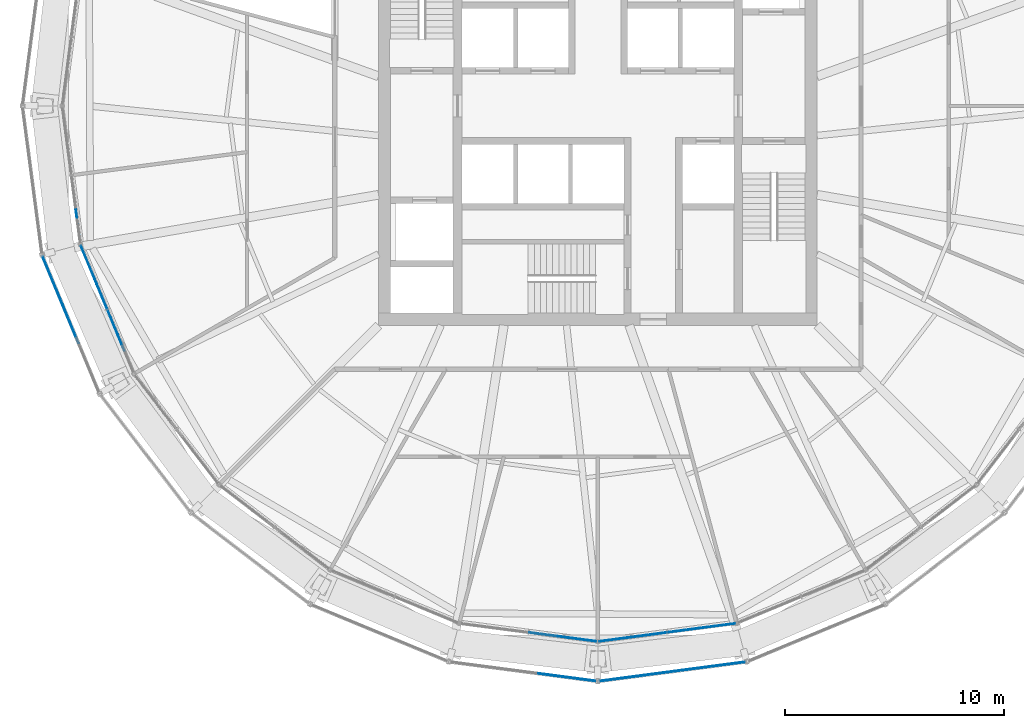
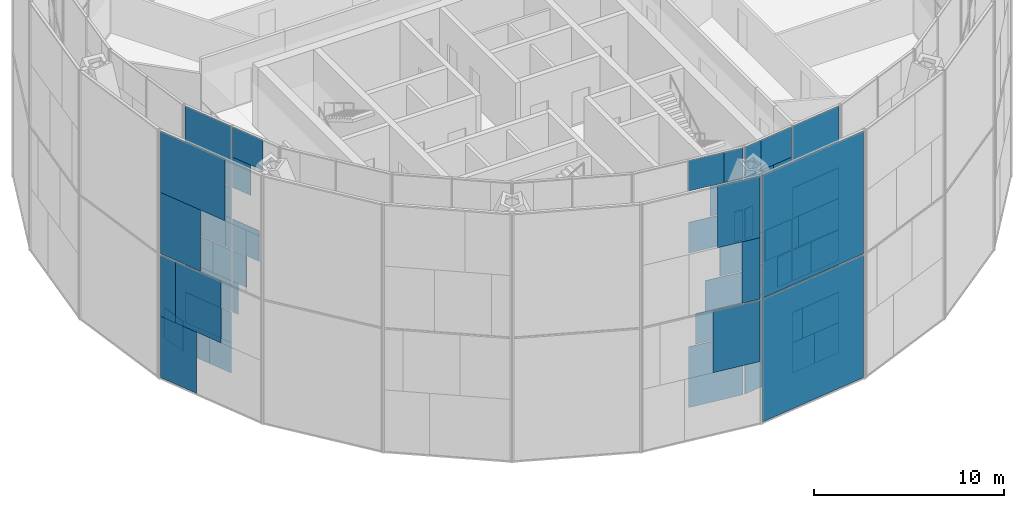
# One storey, part 14 of 28: 62 plates, 7 elements without a shape of their own.
"""IFC4 building model written with IfcOpenShell, lengths in metres."""

import ifcopenshell
import ifcopenshell.guid

model = None  # the IFC model being written
_history = None  # IfcOwnerHistory: only IFC2X3 demands one
_inside = {}  # id of a spatial element -> (the spatial element, [elements in it])
_under = {}  # id of a project, library or spatial element -> (it, [spatial elements below it])
_declared = {}  # id of a project -> (the project, [libraries it declares])
_typed = {}  # id of a type object -> (the type object, [elements of that type])
_made_of = {}  # id of a material, layer set ... -> (it, [elements and type objects made of it])


def new_model(schema):
    """Start an empty IFC model of exactly this schema.

    Asked for "IFC4X3", IfcOpenShell would pick the latest addendum, in which some entities
    have other attributes; the version numbers below select the first issue.
    IFC2X3 requires an IfcOwnerHistory on every rooted entity: one is made here for all.
    """
    global model, _history
    if schema == "IFC4X3":
        model = ifcopenshell.file(schema_version=(4, 3, 0, 0))
    else:
        model = ifcopenshell.file(schema=schema)
    _inside.clear()
    _under.clear()
    _declared.clear()
    _typed.clear()
    _made_of.clear()
    _history = None
    if model.schema == "IFC2X3":
        org = make("IfcOrganization", Name="unknown")
        user = make(
            "IfcPersonAndOrganization",
            ThePerson=make("IfcPerson", FamilyName="unknown"),
            TheOrganization=org,
        )
        app = make(
            "IfcApplication",
            ApplicationDeveloper=org,
            Version="unknown",
            ApplicationFullName="unknown",
            ApplicationIdentifier="unknown",
        )
        _history = make(
            "IfcOwnerHistory",
            OwningUser=user,
            OwningApplication=app,
            ChangeAction="ADDED",
            CreationDate=0,
        )
    return model


def make(cls, **values):
    """One entity of the class cls with the attributes given. An attribute that is None is left unset."""
    return model.create_entity(
        cls, **{name: value for name, value in values.items() if value is not None}
    )


def rooted(cls, **values):
    """An entity with a GlobalId (a new one), such as an element, a storey or a relation."""
    return make(cls, GlobalId=ifcopenshell.guid.new(), OwnerHistory=_history, **values)


def si_unit(unit_type, name, prefix=None):
    """IfcSIUnit, for example si_unit("LENGTHUNIT", "METRE", prefix="MILLI")."""
    return make("IfcSIUnit", UnitType=unit_type, Prefix=prefix, Name=name)


def assignment(units):
    """IfcUnitAssignment: the units of a project."""
    return None if units is None else make("IfcUnitAssignment", Units=units)


def point(xyz):
    """IfcCartesianPoint."""
    return None if xyz is None else make("IfcCartesianPoint", Coordinates=xyz)


def direction(xyz):
    """IfcDirection."""
    return None if xyz is None else make("IfcDirection", DirectionRatios=xyz)


def frame(location, z_axis=None, x_axis=None):
    """IfcAxis2Placement3D, a coordinate frame: its origin and axes. An axis left out is left unset."""
    return make(
        "IfcAxis2Placement3D",
        Location=point(location),
        Axis=direction(z_axis),
        RefDirection=direction(x_axis),
    )


def frame_2d(location, x_axis=None):
    """IfcAxis2Placement2D, a coordinate frame in the plane: its origin and x axis."""
    return make(
        "IfcAxis2Placement2D", Location=point(location), RefDirection=direction(x_axis)
    )


def origin():
    """The frame at (0, 0, 0) with its axes left unset."""
    return frame((0.0, 0.0, 0.0))


def origin_2d():
    """The frame at (0, 0) in the plane with its x axis left unset."""
    return frame_2d((0.0, 0.0))


def place(relative_to, where):
    """IfcLocalPlacement: puts the frame where relative to a parent placement (None: the world)."""
    return make(
        "IfcLocalPlacement", PlacementRelTo=relative_to, RelativePlacement=where
    )


def context(
    kind, dimensions, precision=None, world=None, true_north=None, identifier=None
):
    """IfcGeometricRepresentationContext, for example the 3D "Model" context."""
    return make(
        "IfcGeometricRepresentationContext",
        ContextIdentifier=identifier,
        ContextType=kind,
        CoordinateSpaceDimension=dimensions,
        Precision=precision,
        WorldCoordinateSystem=world,
        TrueNorth=true_north,
    )


def subcontext(parent, identifier, kind, view, scale=None):
    """IfcGeometricRepresentationSubContext, for example "Body" below "Model"."""
    return make(
        "IfcGeometricRepresentationSubContext",
        ContextIdentifier=identifier,
        ContextType=kind,
        ParentContext=parent,
        TargetScale=scale,
        TargetView=view,
    )


def project(units=None, contexts=None):
    """IfcProject with its units and contexts."""
    return rooted(
        "IfcProject",
        Name="project",
        RepresentationContexts=contexts,
        UnitsInContext=assignment(units),
    )


def spatial(cls, under=None, at=None, **own):
    """A site, building, storey or space (cls), placed at a placement, below another one or the project."""
    s = rooted(cls, ObjectPlacement=at, **own)
    if under is not None:
        _under.setdefault(under.id(), (under, []))[1].append(s)
    return s


def profile(cls, at=None, kind="AREA", **sizes):
    """A parametric profile (cls). Its sizes go by their IFC names, for example OverallWidth=200.0."""
    return make(cls, ProfileType=kind, Position=at, **sizes)


def rectangle(**sizes):
    """IfcRectangleProfileDef."""
    return profile("IfcRectangleProfileDef", **sizes)


def extrude(swept, where, along, depth):
    """IfcExtrudedAreaSolid: the profile swept, set in the frame where, extruded along a direction by depth."""
    return make(
        "IfcExtrudedAreaSolid",
        SweptArea=swept,
        Position=where,
        ExtrudedDirection=direction(along),
        Depth=depth,
    )


def shape(context_of_items, identifier, shape_type, items):
    """IfcShapeRepresentation: the items that make up one representation, for example the "Body"."""
    return make(
        "IfcShapeRepresentation",
        ContextOfItems=context_of_items,
        RepresentationIdentifier=identifier,
        RepresentationType=shape_type,
        Items=items,
    )


def material(Name=None, Category=None):
    """IfcMaterial."""
    return make("IfcMaterial", Name=Name, Category=Category)


def layer(
    of_material, thickness, ventilated=None, Name=None, Category=None, Priority=None
):
    """IfcMaterialLayer: one layer of a wall or slab, of a material (None: an air gap)."""
    return make(
        "IfcMaterialLayer",
        Material=of_material,
        LayerThickness=thickness,
        IsVentilated=ventilated,
        Name=Name,
        Category=Category,
        Priority=Priority,
    )


def layer_set(layers, Name=None):
    """IfcMaterialLayerSet."""
    return make("IfcMaterialLayerSet", MaterialLayers=layers, LayerSetName=Name)


def made_of(thing, what):
    """Note that an element or type object is made of a material, layer set ...; save() writes the relation."""
    if what is not None:
        _made_of.setdefault(what.id(), (what, []))[1].append(thing)
    return thing


def type_object(cls, material=None, **own):
    """A type object (cls), such as IfcWallType, which elements share."""
    return made_of(rooted(cls, **own), material)


def element(
    cls,
    number,
    at=None,
    inside=None,
    cuts=None,
    type_object=None,
    material=None,
    context=None,
    identifier="Body",
    shape_type=None,
    held_by="IfcProductDefinitionShape",
    body=None,
    shapes=None,
    **own,
):
    """One element of the class cls, such as IfcWall. Its Tag is "e" and its number.

    at: its placement. inside: the storey or other place that contains it. cuts: it is an
    opening in that element (IfcRelVoidsElement). A single representation is given by context,
    identifier, shape_type and body (its items); several are given by shapes. held_by: the class
    of the entity that holds the representations. save() writes the other relations.
    """
    e = rooted(cls, Tag="e%d" % number, ObjectPlacement=at, **own)
    if body is not None:
        shapes = [shape(context, identifier, shape_type, body)]
    if shapes is not None:
        e.Representation = make(held_by, Representations=shapes)
    if inside is not None:
        _inside.setdefault(inside.id(), (inside, []))[1].append(e)
    if cuts is not None:
        rooted(
            "IfcRelVoidsElement", RelatingBuildingElement=cuts, RelatedOpeningElement=e
        )
    if type_object is not None:
        _typed.setdefault(type_object.id(), (type_object, []))[1].append(e)
    return made_of(e, material)


def aggregate(whole, parts):
    """IfcRelAggregates: a whole, such as a stair, and the parts it consists of."""
    return rooted("IfcRelAggregates", RelatingObject=whole, RelatedObjects=parts)


def save(model, path):
    """Write the relations noted so far, then the file.

    IfcRelAggregates (storeys below a building ...), IfcRelContainedInSpatialStructure (elements
    in a storey), IfcRelDefinesByType, IfcRelAssociatesMaterial and IfcRelDeclares: one each for
    every whole, place, type object, material and project.
    """
    for whole, parts in _under.values():
        aggregate(whole, parts)
    for where, things in _inside.values():
        rooted(
            "IfcRelContainedInSpatialStructure",
            RelatedElements=things,
            RelatingStructure=where,
        )
    for kind, things in _typed.values():
        rooted("IfcRelDefinesByType", RelatedObjects=things, RelatingType=kind)
    for what, things in _made_of.values():
        rooted("IfcRelAssociatesMaterial", RelatedObjects=things, RelatingMaterial=what)
    for by, libraries in _declared.values():
        rooted("IfcRelDeclares", RelatingContext=by, RelatedDefinitions=libraries)
    model.write(path)


model = new_model("IFC4")

# Units and contexts
model_context = context("Model", 3, precision=1e-05, world=origin(), true_north=direction((0.0, 1.0)))
body_context = subcontext(model_context, "Body", "Model", "MODEL_VIEW")
ifc_project = project(units=[si_unit("LENGTHUNIT", "METRE"), si_unit("AREAUNIT", "SQUARE_METRE"), si_unit("VOLUMEUNIT", "CUBIC_METRE"), si_unit("PLANEANGLEUNIT", "RADIAN"), si_unit("MASSUNIT", "GRAM", prefix="KILO")], contexts=[model_context])

# Site, building, storey
site_placement = place(None, origin())
site = spatial("IfcSite", under=ifc_project, at=site_placement, CompositionType="ELEMENT")
building_placement = place(site_placement, origin())
building = spatial("IfcBuilding", under=site, at=building_placement, Name="Golbaran Civic Tower", CompositionType="ELEMENT")
storey_placement = place(building_placement, frame((0.0, 0.0, 134.0)))
storey = spatial("IfcBuildingStorey", under=building, at=storey_placement, Name="L32", CompositionType="ELEMENT", Elevation=134.0)

# Curtain wall, plates
ifc_material_1 = material(Name="Aluminium and glass", Category="aluminium")
curtain_wall_type_1 = type_object("IfcCurtainWallType", Name="INNER SKIN CURTAIN WALL", PredefinedType="NOTDEFINED", material=ifc_material_1)
curtain_wall_1_placement = place(storey_placement, origin())
curtain_wall_1 = element("IfcCurtainWall", 1, at=curtain_wall_1_placement, inside=storey, type_object=curtain_wall_type_1, Name="Inner skin L32 facet 14 CW1", ObjectType="INNER SKIN", PredefinedType="USERDEFINED")
ifc_material_2 = material(Name="Clear insulating glass", Category="glass")
ifc_layer_1 = layer(ifc_material_2, 0.031982421875, Name="Clear insulating glass")
ifc_layer_set_1 = layer_set([ifc_layer_1], Name="Clear insulating glass")
plate_type_1 = type_object("IfcPlateType", Name="INNER SKIN CURTAIN WALL GLAZED PANEL", PredefinedType="CURTAIN_PANEL", material=ifc_layer_set_1)
plate_1_placement = place(storey_placement, frame((-22.662841796875, -8.56640625, 0.06494140625), z_axis=(0.0, 0.0, 1.0), x_axis=(0.38268343243, -0.923879532485, 0.0)))
plate_1 = element("IfcPlate", 2, at=plate_1_placement, type_object=plate_type_1, Name="CW1 panel 1.1 part 2", PredefinedType="CURTAIN_PANEL", context=body_context, shape_type="SweptSolid", body=[
    extrude(rectangle(XDim=1.45166015625, YDim=0.031982421875, at=origin_2d()), origin(), (0.0, 0.0, 1.0), 1.951171875),
])
plate_2_placement = place(storey_placement, frame((-22.5087890625, -8.9384765625, 2.016357421875), z_axis=(0.0, 0.0, 1.0), x_axis=(0.38268343243, -0.923879532485, 0.0)))
plate_2 = element("IfcPlate", 3, at=plate_2_placement, type_object=plate_type_1, Name="CW1 panel 1.1 part 4", PredefinedType="CURTAIN_PANEL", context=body_context, shape_type="SweptSolid", body=[
    extrude(rectangle(XDim=0.646484375, YDim=0.031982421875, at=origin_2d()), origin(), (0.0, 0.0, 1.0), 1.951171875),
])
plate_3_placement = place(storey_placement, frame((-23.362548828125, -6.87744140625, 4.03271484375), z_axis=(0.0, 0.0, 1.0), x_axis=(0.38268343243, -0.923879532485, 0.0)))
plate_3 = element("IfcPlate", 4, at=plate_3_placement, type_object=plate_type_1, Name="CW1 panel 1.2 part 1", PredefinedType="CURTAIN_PANEL", context=body_context, shape_type="SweptSolid", body=[
    extrude(rectangle(XDim=1.072998046875, YDim=0.031982421875, at=origin_2d()), origin(), (0.0, 0.0, 1.0), 1.967529296875),
])
plate_4_placement = place(storey_placement, frame((-23.207275390625, -7.25244140625, 6.0), z_axis=(0.0, 0.0, 1.0), x_axis=(0.38268343243, -0.923879532485, 0.0)))
plate_4 = element("IfcPlate", 5, at=plate_4_placement, type_object=plate_type_1, Name="CW1 panel 1.2 part 3", PredefinedType="CURTAIN_PANEL", context=body_context, shape_type="SweptSolid", body=[
    extrude(rectangle(XDim=1.885009765625, YDim=0.031982421875, at=origin_2d()), origin(), (0.0, 0.0, 1.0), 1.967529296875),
])
plate_5_placement = place(storey_placement, frame((-23.053466796875, -7.623779296875, 8.03271484375), z_axis=(0.0, 0.0, 1.0), x_axis=(0.38268343243, -0.923879532485, 0.0)))
plate_5 = element("IfcPlate", 6, at=plate_5_placement, type_object=plate_type_1, Name="CW1 panel 1.3 part 1", PredefinedType="CURTAIN_PANEL", context=body_context, shape_type="SweptSolid", body=[
    extrude(rectangle(XDim=2.68896484375, YDim=0.031982421875, at=origin_2d()), origin(), (0.0, 0.0, 1.0), 1.967529296875),
])
plate_6_placement = place(storey_placement, frame((-22.9765625, -7.809326171875, 10.0), z_axis=(0.0, 0.0, 1.0), x_axis=(0.38268343243, -0.923879532485, 0.0)))
plate_6 = element("IfcPlate", 7, at=plate_6_placement, type_object=plate_type_1, Name="CW1 panel 1.3 part 3", PredefinedType="CURTAIN_PANEL", context=body_context, shape_type="SweptSolid", body=[
    extrude(rectangle(XDim=3.090576171875, YDim=0.031982421875, at=origin_2d()), origin(), (0.0, 0.0, 1.0), 1.967529296875),
])
plate_7_placement = place(storey_placement, frame((-22.9765625, -7.809326171875, 12.0322265625), z_axis=(0.0, 0.0, 1.0), x_axis=(0.38268343243, -0.923879532485, 0.0)))
plate_7 = element("IfcPlate", 8, at=plate_7_placement, type_object=plate_type_1, Name="CW1 panel 1.4", PredefinedType="CURTAIN_PANEL", context=body_context, shape_type="SweptSolid", body=[
    extrude(rectangle(XDim=3.090576171875, YDim=0.031982421875, at=origin_2d()), origin(), (0.0, 0.0, 1.0), 3.902587890625),
])
plate_8_placement = place(storey_placement, frame((-22.127197265625, -9.85986328125, 12.032470703125), z_axis=(0.0, 0.0, 1.0), x_axis=(0.38268343243, -0.923879532485, 0.0)))
plate_8 = element("IfcPlate", 9, at=plate_8_placement, type_object=plate_type_1, Name="CW1 panel 2.4 part 1", PredefinedType="CURTAIN_PANEL", context=body_context, shape_type="SweptSolid", body=[
    extrude(rectangle(XDim=1.218017578125, YDim=0.031982421875, at=origin_2d()), origin(), (0.0, 0.0, 1.0), 1.951171875),
])
plate_9_placement = place(storey_placement, frame((-21.97314453125, -10.231689453125, 13.98388671875), z_axis=(0.0, 0.0, 1.0), x_axis=(0.38268343243, -0.923879532485, 0.0)))
plate_9 = element("IfcPlate", 10, at=plate_9_placement, type_object=plate_type_1, Name="CW1 panel 2.4 part 3", PredefinedType="CURTAIN_PANEL", context=body_context, shape_type="SweptSolid", body=[
    extrude(rectangle(XDim=2.02294921875, YDim=0.031982421875, at=origin_2d()), origin(), (0.0, 0.0, 1.0), 1.951171875),
])

curtain_wall_2_placement = place(storey_placement, origin())
curtain_wall_2 = element("IfcCurtainWall", 11, at=curtain_wall_2_placement, inside=storey, type_object=curtain_wall_type_1, Name="Inner skin L32 facet 18 CW1", ObjectType="INNER SKIN", PredefinedType="USERDEFINED")
plate_10_placement = place(storey_placement, frame((-1.596435546875, -24.21484375, 0.06494140625), z_axis=(0.0, 0.0, 1.0), x_axis=(0.991444861372, -0.130526192237, 0.0)))
plate_10 = element("IfcPlate", 12, at=plate_10_placement, type_object=plate_type_1, Name="CW1 panel 2.1", PredefinedType="CURTAIN_PANEL", context=body_context, shape_type="SweptSolid", body=[
    extrude(rectangle(XDim=3.090576171875, YDim=0.031982421875, at=origin_2d()), origin(), (0.0, 0.0, 1.0), 3.902587890625),
])
plate_11_placement = place(storey_placement, frame((-1.397705078125, -24.240966796875, 4.03271484375), z_axis=(0.0, 0.0, 1.0), x_axis=(0.991444861372, -0.130526192237, 0.0)))
plate_11 = element("IfcPlate", 13, at=plate_11_placement, type_object=plate_type_1, Name="CW1 panel 2.2 part 2", PredefinedType="CURTAIN_PANEL", context=body_context, shape_type="SweptSolid", body=[
    extrude(rectangle(XDim=2.689697265625, YDim=0.031982421875, at=origin_2d()), origin(), (0.0, 0.0, 1.0), 1.967529296875),
])
plate_12_placement = place(storey_placement, frame((-1.131103515625, -24.276123046875, 6.0), z_axis=(0.0, 0.0, 1.0), x_axis=(0.991444861372, -0.130526192237, 0.0)))
plate_12 = element("IfcPlate", 14, at=plate_12_placement, type_object=plate_type_1, Name="CW1 panel 2.2 part 4", PredefinedType="CURTAIN_PANEL", context=body_context, shape_type="SweptSolid", body=[
    extrude(rectangle(XDim=2.151611328125, YDim=0.031982421875, at=origin_2d()), origin(), (0.0, 0.0, 1.0), 1.967529296875),
])
plate_13_placement = place(storey_placement, frame((-0.715087890625, -24.330810546875, 8.03271484375), z_axis=(0.0, 0.0, 1.0), x_axis=(0.991444861372, -0.130526192237, 0.0)))
plate_13 = element("IfcPlate", 15, at=plate_13_placement, type_object=plate_type_1, Name="CW1 panel 2.3 part 2", PredefinedType="CURTAIN_PANEL", context=body_context, shape_type="SweptSolid", body=[
    extrude(rectangle(XDim=1.3125, YDim=0.031982421875, at=origin_2d()), origin(), (0.0, 0.0, 1.0), 1.967529296875),
])
plate_14_placement = place(storey_placement, frame((-0.31298828125, -24.3837890625, 10.0), z_axis=(0.0, 0.0, 1.0), x_axis=(0.991444861372, -0.130526192237, 0.0)))
plate_14 = element("IfcPlate", 16, at=plate_14_placement, type_object=plate_type_1, Name="CW1 panel 2.3 part 4", PredefinedType="CURTAIN_PANEL", context=body_context, shape_type="SweptSolid", body=[
    extrude(rectangle(XDim=0.501708984375, YDim=0.031982421875, at=origin_2d()), origin(), (0.0, 0.0, 1.0), 1.967529296875),
])
plate_15_placement = place(storey_placement, frame((-2.125732421875, -24.14501953125, 13.98388671875), z_axis=(0.0, 0.0, 1.0), x_axis=(0.991444861372, -0.130526192237, 0.0)))
plate_15 = element("IfcPlate", 17, at=plate_15_placement, type_object=plate_type_1, Name="CW1 panel 2.4 part 3", PredefinedType="CURTAIN_PANEL", context=body_context, shape_type="SweptSolid", body=[
    extrude(rectangle(XDim=2.02294921875, YDim=0.031982421875, at=origin_2d()), origin(), (0.0, 0.0, 1.0), 1.951171875),
])

curtain_wall_3_placement = place(storey_placement, origin())
curtain_wall_3 = element("IfcCurtainWall", 18, at=curtain_wall_3_placement, inside=storey, type_object=curtain_wall_type_1, Name="Inner skin L32 facet 19 CW1", ObjectType="INNER SKIN", PredefinedType="USERDEFINED")
plate_16_placement = place(storey_placement, frame((1.596435546875, -24.21484375, 0.06494140625), z_axis=(0.0, 0.0, 1.0), x_axis=(0.991444861372, 0.130526192237, 0.0)))
plate_16 = element("IfcPlate", 19, at=plate_16_placement, type_object=plate_type_1, Name="CW1 panel 1.1", PredefinedType="CURTAIN_PANEL", context=body_context, shape_type="SweptSolid", body=[
    extrude(rectangle(XDim=3.090576171875, YDim=0.031982421875, at=origin_2d()), origin(), (0.0, 0.0, 1.0), 3.902587890625),
])
plate_17_placement = place(storey_placement, frame((1.3974609375, -24.240966796875, 4.03271484375), z_axis=(0.0, 0.0, 1.0), x_axis=(0.991444861372, 0.130526192237, 0.0)))
plate_17 = element("IfcPlate", 20, at=plate_17_placement, type_object=plate_type_1, Name="CW1 panel 1.2 part 1", PredefinedType="CURTAIN_PANEL", context=body_context, shape_type="SweptSolid", body=[
    extrude(rectangle(XDim=2.68896484375, YDim=0.031982421875, at=origin_2d()), origin(), (0.0, 0.0, 1.0), 1.967529296875),
])
plate_18_placement = place(storey_placement, frame((1.130859375, -24.276123046875, 6.0), z_axis=(0.0, 0.0, 1.0), x_axis=(0.991444861372, 0.130526192237, 0.0)))
plate_18 = element("IfcPlate", 21, at=plate_18_placement, type_object=plate_type_1, Name="CW1 panel 1.2 part 3", PredefinedType="CURTAIN_PANEL", context=body_context, shape_type="SweptSolid", body=[
    extrude(rectangle(XDim=2.15087890625, YDim=0.031982421875, at=origin_2d()), origin(), (0.0, 0.0, 1.0), 1.967529296875),
])
plate_19_placement = place(storey_placement, frame((0.71533203125, -24.330810546875, 8.03271484375), z_axis=(0.0, 0.0, 1.0), x_axis=(0.991444861372, 0.130526192237, 0.0)))
plate_19 = element("IfcPlate", 22, at=plate_19_placement, type_object=plate_type_1, Name="CW1 panel 1.3 part 1", PredefinedType="CURTAIN_PANEL", context=body_context, shape_type="SweptSolid", body=[
    extrude(rectangle(XDim=1.31298828125, YDim=0.031982421875, at=origin_2d()), origin(), (0.0, 0.0, 1.0), 1.967529296875),
])
plate_20_placement = place(storey_placement, frame((0.312744140625, -24.3837890625, 10.0), z_axis=(0.0, 0.0, 1.0), x_axis=(0.991444861372, 0.130526192237, 0.0)))
plate_20 = element("IfcPlate", 23, at=plate_20_placement, type_object=plate_type_1, Name="CW1 panel 1.3 part 3", PredefinedType="CURTAIN_PANEL", context=body_context, shape_type="SweptSolid", body=[
    extrude(rectangle(XDim=0.5009765625, YDim=0.031982421875, at=origin_2d()), origin(), (0.0, 0.0, 1.0), 1.967529296875),
])
plate_21_placement = place(storey_placement, frame((2.5244140625, -24.092529296875, 12.032470703125), z_axis=(0.0, 0.0, 1.0), x_axis=(0.991444861372, 0.130526192237, 0.0)))
plate_21 = element("IfcPlate", 24, at=plate_21_placement, type_object=plate_type_1, Name="CW1 panel 1.4 part 2", PredefinedType="CURTAIN_PANEL", context=body_context, shape_type="SweptSolid", body=[
    extrude(rectangle(XDim=1.218505859375, YDim=0.031982421875, at=origin_2d()), origin(), (0.0, 0.0, 1.0), 1.951171875),
])
plate_22_placement = place(storey_placement, frame((2.12548828125, -24.145263671875, 13.98388671875), z_axis=(0.0, 0.0, 1.0), x_axis=(0.991444861372, 0.130526192237, 0.0)))
plate_22 = element("IfcPlate", 25, at=plate_22_placement, type_object=plate_type_1, Name="CW1 panel 1.4 part 4", PredefinedType="CURTAIN_PANEL", context=body_context, shape_type="SweptSolid", body=[
    extrude(rectangle(XDim=2.023681640625, YDim=0.031982421875, at=origin_2d()), origin(), (0.0, 0.0, 1.0), 1.951171875),
])
plate_23_placement = place(storey_placement, frame((3.912353515625, -23.909912109375, 0.06494140625), z_axis=(0.0, 0.0, 1.0), x_axis=(0.991444861372, 0.130526192237, 0.0)))
plate_23 = element("IfcPlate", 26, at=plate_23_placement, type_object=plate_type_1, Name="CW1 panel 2.1 part 1", PredefinedType="CURTAIN_PANEL", context=body_context, shape_type="SweptSolid", body=[
    extrude(rectangle(XDim=1.450927734375, YDim=0.031982421875, at=origin_2d()), origin(), (0.0, 0.0, 1.0), 1.951171875),
])
plate_24_placement = place(storey_placement, frame((3.51318359375, -23.96240234375, 2.016357421875), z_axis=(0.0, 0.0, 1.0), x_axis=(0.991444861372, 0.130526192237, 0.0)))
plate_24 = element("IfcPlate", 27, at=plate_24_placement, type_object=plate_type_1, Name="CW1 panel 2.1 part 3", PredefinedType="CURTAIN_PANEL", context=body_context, shape_type="SweptSolid", body=[
    extrude(rectangle(XDim=0.64599609375, YDim=0.031982421875, at=origin_2d()), origin(), (0.0, 0.0, 1.0), 1.951171875),
])
plate_25_placement = place(storey_placement, frame((5.72509765625, -23.67138671875, 4.03271484375), z_axis=(0.0, 0.0, 1.0), x_axis=(0.991444861372, 0.130526192237, 0.0)))
plate_25 = element("IfcPlate", 28, at=plate_25_placement, type_object=plate_type_1, Name="CW1 panel 2.2 part 2", PredefinedType="CURTAIN_PANEL", context=body_context, shape_type="SweptSolid", body=[
    extrude(rectangle(XDim=1.073486328125, YDim=0.031982421875, at=origin_2d()), origin(), (0.0, 0.0, 1.0), 1.967529296875),
])
plate_26_placement = place(storey_placement, frame((5.322998046875, -23.72412109375, 6.0), z_axis=(0.0, 0.0, 1.0), x_axis=(0.991444861372, 0.130526192237, 0.0)))
plate_26 = element("IfcPlate", 29, at=plate_26_placement, type_object=plate_type_1, Name="CW1 panel 2.2 part 4", PredefinedType="CURTAIN_PANEL", context=body_context, shape_type="SweptSolid", body=[
    extrude(rectangle(XDim=1.884521484375, YDim=0.031982421875, at=origin_2d()), origin(), (0.0, 0.0, 1.0), 1.967529296875),
])
plate_27_placement = place(storey_placement, frame((4.923828125, -23.77685546875, 8.03271484375), z_axis=(0.0, 0.0, 1.0), x_axis=(0.991444861372, 0.130526192237, 0.0)))
plate_27 = element("IfcPlate", 30, at=plate_27_placement, type_object=plate_type_1, Name="CW1 panel 2.3 part 2", PredefinedType="CURTAIN_PANEL", context=body_context, shape_type="SweptSolid", body=[
    extrude(rectangle(XDim=2.689697265625, YDim=0.031982421875, at=origin_2d()), origin(), (0.0, 0.0, 1.0), 1.967529296875),
])
plate_28_placement = place(storey_placement, frame((4.72509765625, -23.802978515625, 10.0), z_axis=(0.0, 0.0, 1.0), x_axis=(0.991444861372, 0.130526192237, 0.0)))
plate_28 = element("IfcPlate", 31, at=plate_28_placement, type_object=plate_type_1, Name="CW1 panel 2.3 part 3", PredefinedType="CURTAIN_PANEL", context=body_context, shape_type="SweptSolid", body=[
    extrude(rectangle(XDim=3.090576171875, YDim=0.031982421875, at=origin_2d()), origin(), (0.0, 0.0, 1.0), 1.967529296875),
])
plate_29_placement = place(storey_placement, frame((4.72509765625, -23.802978515625, 12.0322265625), z_axis=(0.0, 0.0, 1.0), x_axis=(0.991444861372, 0.130526192237, 0.0)))
plate_29 = element("IfcPlate", 32, at=plate_29_placement, type_object=plate_type_1, Name="CW1 panel 2.4", PredefinedType="CURTAIN_PANEL", context=body_context, shape_type="SweptSolid", body=[
    extrude(rectangle(XDim=3.090576171875, YDim=0.031982421875, at=origin_2d()), origin(), (0.0, 0.0, 1.0), 3.902587890625),
])

# Curtain wall, plate
curtain_wall_4_placement = place(storey_placement, origin())
curtain_wall_4 = element("IfcCurtainWall", 33, at=curtain_wall_4_placement, inside=storey, type_object=curtain_wall_type_1, Name="Inner skin L32 facet 13 CW1", ObjectType="INNER SKIN", PredefinedType="USERDEFINED")
ifc_material_3 = material(Name="Aluminium faced opaque infill panel", Category="aluminium")
ifc_layer_2 = layer(ifc_material_3, 0.031982421875, Name="Aluminium faced opaque infill panel")
ifc_layer_set_2 = layer_set([ifc_layer_2], Name="Aluminium faced opaque infill panel")
plate_type_2 = type_object("IfcPlateType", Name="INNER SKIN CURTAIN WALL OPAQUE INFILL PANEL", PredefinedType="CURTAIN_PANEL", material=ifc_layer_set_2)
plate_30_placement = place(storey_placement, frame((-23.708251953125, -5.4443359375, 0.06494140625), z_axis=(0.0, 0.0, 1.0), x_axis=(0.130526192237, -0.991444861372, 0.0)))
plate_30 = element("IfcPlate", 34, at=plate_30_placement, type_object=plate_type_2, Name="CW1 infill panel 2.1 part 2", PredefinedType="CURTAIN_PANEL", context=body_context, shape_type="SweptSolid", body=[
    extrude(rectangle(XDim=1.6396484375, YDim=0.031982421875, at=origin_2d()), origin(), (0.0, 0.0, 1.0), 1.951171875),
])
aggregate(curtain_wall_4, [plate_30])

# Plate
plate_31_placement = place(storey_placement, frame((-23.254150390625, -7.138916015625, 0.06494140625), z_axis=(0.0, 0.0, 1.0), x_axis=(0.38268343243, -0.923879532485, 0.0)))
plate_31 = element("IfcPlate", 35, at=plate_31_placement, type_object=plate_type_2, Name="CW1 infill panel 1.1 part 1", PredefinedType="CURTAIN_PANEL", context=body_context, shape_type="SweptSolid", body=[
    extrude(rectangle(XDim=1.638916015625, YDim=0.031982421875, at=origin_2d()), origin(), (0.0, 0.0, 1.0), 1.951171875),
])

plate_32_placement = place(storey_placement, frame((-23.100341796875, -7.5107421875, 2.016357421875), z_axis=(0.0, 0.0, 1.0), x_axis=(0.38268343243, -0.923879532485, 0.0)))
plate_32 = element("IfcPlate", 36, at=plate_32_placement, type_object=plate_type_2, Name="CW1 infill panel 1.1 part 3", PredefinedType="CURTAIN_PANEL", context=body_context, shape_type="SweptSolid", body=[
    extrude(rectangle(XDim=2.444091796875, YDim=0.031982421875, at=origin_2d()), origin(), (0.0, 0.0, 1.0), 1.951171875),
])

plate_33_placement = place(storey_placement, frame((-22.771240234375, -8.304931640625, 4.03271484375), z_axis=(0.0, 0.0, 1.0), x_axis=(0.38268343243, -0.923879532485, 0.0)))
plate_33 = element("IfcPlate", 37, at=plate_33_placement, type_object=plate_type_2, Name="CW1 infill panel 1.2 part 2", PredefinedType="CURTAIN_PANEL", context=body_context, shape_type="SweptSolid", body=[
    extrude(rectangle(XDim=2.017578125, YDim=0.031982421875, at=origin_2d()), origin(), (0.0, 0.0, 1.0), 1.967529296875),
])

plate_34_placement = place(storey_placement, frame((-22.61572265625, -8.68017578125, 6.0), z_axis=(0.0, 0.0, 1.0), x_axis=(0.38268343243, -0.923879532485, 0.0)))
plate_34 = element("IfcPlate", 38, at=plate_34_placement, type_object=plate_type_2, Name="CW1 infill panel 1.2 part 4", PredefinedType="CURTAIN_PANEL", context=body_context, shape_type="SweptSolid", body=[
    extrude(rectangle(XDim=1.20556640625, YDim=0.031982421875, at=origin_2d()), origin(), (0.0, 0.0, 1.0), 1.967529296875),
])

plate_35_placement = place(storey_placement, frame((-22.4619140625, -9.051513671875, 8.03271484375), z_axis=(0.0, 0.0, 1.0), x_axis=(0.38268343243, -0.923879532485, 0.0)))
plate_35 = element("IfcPlate", 39, at=plate_35_placement, type_object=plate_type_2, Name="CW1 infill panel 1.3 part 2", PredefinedType="CURTAIN_PANEL", context=body_context, shape_type="SweptSolid", body=[
    extrude(rectangle(XDim=0.401611328125, YDim=0.031982421875, at=origin_2d()), origin(), (0.0, 0.0, 1.0), 1.967529296875),
])

plate_36_placement = place(storey_placement, frame((-22.283447265625, -9.482421875, 4.03271484375), z_axis=(0.0, 0.0, 1.0), x_axis=(0.38268343243, -0.923879532485, 0.0)))
plate_36 = element("IfcPlate", 40, at=plate_36_placement, type_object=plate_type_2, Name="CW1 infill panel 2.2 part 1", PredefinedType="CURTAIN_PANEL", context=body_context, shape_type="SweptSolid", body=[
    extrude(rectangle(XDim=0.40087890625, YDim=0.031982421875, at=origin_2d()), origin(), (0.0, 0.0, 1.0), 1.967529296875),
])

plate_37_placement = place(storey_placement, frame((-22.1806640625, -9.73095703125, 6.0), z_axis=(0.0, 0.0, 1.0), x_axis=(0.38268343243, -0.923879532485, 0.0)))
plate_37 = element("IfcPlate", 41, at=plate_37_placement, type_object=plate_type_2, Name="CW1 infill panel 2.2 part 3", PredefinedType="CURTAIN_PANEL", context=body_context, shape_type="SweptSolid", body=[
    extrude(rectangle(XDim=0.93896484375, YDim=0.031982421875, at=origin_2d()), origin(), (0.0, 0.0, 1.0), 1.967529296875),
])

plate_38_placement = place(storey_placement, frame((-22.02001953125, -10.118408203125, 8.03271484375), z_axis=(0.0, 0.0, 1.0), x_axis=(0.38268343243, -0.923879532485, 0.0)))
plate_38 = element("IfcPlate", 42, at=plate_38_placement, type_object=plate_type_2, Name="CW1 infill panel 2.3 part 1", PredefinedType="CURTAIN_PANEL", context=body_context, shape_type="SweptSolid", body=[
    extrude(rectangle(XDim=1.778076171875, YDim=0.031982421875, at=origin_2d()), origin(), (0.0, 0.0, 1.0), 1.967529296875),
])

aggregate(curtain_wall_1, [plate_31, plate_1, plate_32, plate_2, plate_3, plate_33, plate_4, plate_34, plate_5, plate_35, plate_6, plate_7, plate_36, plate_37, plate_38, plate_8, plate_9])

plate_39_placement = place(storey_placement, frame((-1.84521484375, -24.18212890625, 10.0), z_axis=(0.0, 0.0, 1.0), x_axis=(0.991444861372, -0.130526192237, 0.0)))
plate_39 = element("IfcPlate", 43, at=plate_39_placement, type_object=plate_type_2, Name="CW1 infill panel 2.3 part 3", PredefinedType="CURTAIN_PANEL", context=body_context, shape_type="SweptSolid", body=[
    extrude(rectangle(XDim=2.589111328125, YDim=0.031982421875, at=origin_2d()), origin(), (0.0, 0.0, 1.0), 1.967529296875),
])

plate_40_placement = place(storey_placement, frame((-0.99267578125, -24.294189453125, 12.032470703125), z_axis=(0.0, 0.0, 1.0), x_axis=(0.991444861372, -0.130526192237, 0.0)))
plate_40 = element("IfcPlate", 44, at=plate_40_placement, type_object=plate_type_2, Name="CW1 infill panel 2.4 part 2", PredefinedType="CURTAIN_PANEL", context=body_context, shape_type="SweptSolid", body=[
    extrude(rectangle(XDim=1.87255859375, YDim=0.031982421875, at=origin_2d()), origin(), (0.0, 0.0, 1.0), 1.951171875),
])

plate_41_placement = place(storey_placement, frame((-0.59375, -24.346923828125, 13.98388671875), z_axis=(0.0, 0.0, 1.0), x_axis=(0.991444861372, -0.130526192237, 0.0)))
plate_41 = element("IfcPlate", 45, at=plate_41_placement, type_object=plate_type_2, Name="CW1 infill panel 2.4 part 4", PredefinedType="CURTAIN_PANEL", context=body_context, shape_type="SweptSolid", body=[
    extrude(rectangle(XDim=1.067626953125, YDim=0.031982421875, at=origin_2d()), origin(), (0.0, 0.0, 1.0), 1.951171875),
])

aggregate(curtain_wall_2, [plate_10, plate_11, plate_12, plate_13, plate_39, plate_14, plate_40, plate_15, plate_41])

plate_42_placement = place(storey_placement, frame((2.929443359375, -24.039306640625, 4.03271484375), z_axis=(0.0, 0.0, 1.0), x_axis=(0.991444861372, 0.130526192237, 0.0)))
plate_42 = element("IfcPlate", 46, at=plate_42_placement, type_object=plate_type_2, Name="CW1 infill panel 1.2 part 2", PredefinedType="CURTAIN_PANEL", context=body_context, shape_type="SweptSolid", body=[
    extrude(rectangle(XDim=0.401611328125, YDim=0.031982421875, at=origin_2d()), origin(), (0.0, 0.0, 1.0), 1.967529296875),
])

plate_43_placement = place(storey_placement, frame((2.662841796875, -24.074462890625, 6.0), z_axis=(0.0, 0.0, 1.0), x_axis=(0.991444861372, 0.130526192237, 0.0)))
plate_43 = element("IfcPlate", 47, at=plate_43_placement, type_object=plate_type_2, Name="CW1 infill panel 1.2 part 4", PredefinedType="CURTAIN_PANEL", context=body_context, shape_type="SweptSolid", body=[
    extrude(rectangle(XDim=0.939697265625, YDim=0.031982421875, at=origin_2d()), origin(), (0.0, 0.0, 1.0), 1.967529296875),
])

plate_44_placement = place(storey_placement, frame((2.247314453125, -24.129150390625, 8.03271484375), z_axis=(0.0, 0.0, 1.0), x_axis=(0.991444861372, 0.130526192237, 0.0)))
plate_44 = element("IfcPlate", 48, at=plate_44_placement, type_object=plate_type_2, Name="CW1 infill panel 1.3 part 2", PredefinedType="CURTAIN_PANEL", context=body_context, shape_type="SweptSolid", body=[
    extrude(rectangle(XDim=1.777587890625, YDim=0.031982421875, at=origin_2d()), origin(), (0.0, 0.0, 1.0), 1.967529296875),
])

plate_45_placement = place(storey_placement, frame((1.844970703125, -24.18212890625, 10.0), z_axis=(0.0, 0.0, 1.0), x_axis=(0.991444861372, 0.130526192237, 0.0)))
plate_45 = element("IfcPlate", 49, at=plate_45_placement, type_object=plate_type_2, Name="CW1 infill panel 1.3 part 4", PredefinedType="CURTAIN_PANEL", context=body_context, shape_type="SweptSolid", body=[
    extrude(rectangle(XDim=2.589599609375, YDim=0.031982421875, at=origin_2d()), origin(), (0.0, 0.0, 1.0), 1.967529296875),
])

plate_46_placement = place(storey_placement, frame((0.992431640625, -24.29443359375, 12.032470703125), z_axis=(0.0, 0.0, 1.0), x_axis=(0.991444861372, 0.130526192237, 0.0)))
plate_46 = element("IfcPlate", 50, at=plate_46_placement, type_object=plate_type_2, Name="CW1 infill panel 1.4 part 1", PredefinedType="CURTAIN_PANEL", context=body_context, shape_type="SweptSolid", body=[
    extrude(rectangle(XDim=1.8720703125, YDim=0.031982421875, at=origin_2d()), origin(), (0.0, 0.0, 1.0), 1.951171875),
])

plate_47_placement = place(storey_placement, frame((0.59326171875, -24.346923828125, 13.98388671875), z_axis=(0.0, 0.0, 1.0), x_axis=(0.991444861372, 0.130526192237, 0.0)))
plate_47 = element("IfcPlate", 51, at=plate_47_placement, type_object=plate_type_2, Name="CW1 infill panel 1.4 part 3", PredefinedType="CURTAIN_PANEL", context=body_context, shape_type="SweptSolid", body=[
    extrude(rectangle(XDim=1.06689453125, YDim=0.031982421875, at=origin_2d()), origin(), (0.0, 0.0, 1.0), 1.951171875),
])

plate_48_placement = place(storey_placement, frame((5.4443359375, -23.708251953125, 0.06494140625), z_axis=(0.0, 0.0, 1.0), x_axis=(0.991444861372, 0.130526192237, 0.0)))
plate_48 = element("IfcPlate", 52, at=plate_48_placement, type_object=plate_type_2, Name="CW1 infill panel 2.1 part 2", PredefinedType="CURTAIN_PANEL", context=body_context, shape_type="SweptSolid", body=[
    extrude(rectangle(XDim=1.6396484375, YDim=0.031982421875, at=origin_2d()), origin(), (0.0, 0.0, 1.0), 1.951171875),
])

plate_49_placement = place(storey_placement, frame((5.04541015625, -23.7607421875, 2.016357421875), z_axis=(0.0, 0.0, 1.0), x_axis=(0.991444861372, 0.130526192237, 0.0)))
plate_49 = element("IfcPlate", 53, at=plate_49_placement, type_object=plate_type_2, Name="CW1 infill panel 2.1 part 4", PredefinedType="CURTAIN_PANEL", context=body_context, shape_type="SweptSolid", body=[
    extrude(rectangle(XDim=2.444580078125, YDim=0.031982421875, at=origin_2d()), origin(), (0.0, 0.0, 1.0), 1.951171875),
])

plate_50_placement = place(storey_placement, frame((4.19287109375, -23.873046875, 4.03271484375), z_axis=(0.0, 0.0, 1.0), x_axis=(0.991444861372, 0.130526192237, 0.0)))
plate_50 = element("IfcPlate", 54, at=plate_50_placement, type_object=plate_type_2, Name="CW1 infill panel 2.2 part 1", PredefinedType="CURTAIN_PANEL", context=body_context, shape_type="SweptSolid", body=[
    extrude(rectangle(XDim=2.01708984375, YDim=0.031982421875, at=origin_2d()), origin(), (0.0, 0.0, 1.0), 1.967529296875),
])

plate_51_placement = place(storey_placement, frame((3.790771484375, -23.926025390625, 6.0), z_axis=(0.0, 0.0, 1.0), x_axis=(0.991444861372, 0.130526192237, 0.0)))
plate_51 = element("IfcPlate", 55, at=plate_51_placement, type_object=plate_type_2, Name="CW1 infill panel 2.2 part 3", PredefinedType="CURTAIN_PANEL", context=body_context, shape_type="SweptSolid", body=[
    extrude(rectangle(XDim=1.2060546875, YDim=0.031982421875, at=origin_2d()), origin(), (0.0, 0.0, 1.0), 1.967529296875),
])

plate_52_placement = place(storey_placement, frame((3.391845703125, -23.978515625, 8.03271484375), z_axis=(0.0, 0.0, 1.0), x_axis=(0.991444861372, 0.130526192237, 0.0)))
plate_52 = element("IfcPlate", 56, at=plate_52_placement, type_object=plate_type_2, Name="CW1 infill panel 2.3 part 1", PredefinedType="CURTAIN_PANEL", context=body_context, shape_type="SweptSolid", body=[
    extrude(rectangle(XDim=0.40087890625, YDim=0.031982421875, at=origin_2d()), origin(), (0.0, 0.0, 1.0), 1.967529296875),
])

aggregate(curtain_wall_3, [plate_16, plate_17, plate_42, plate_18, plate_43, plate_19, plate_44, plate_20, plate_45, plate_46, plate_21, plate_47, plate_22, plate_23, plate_48, plate_24, plate_49, plate_50, plate_25, plate_51, plate_26, plate_52, plate_27, plate_28, plate_29])

# Curtain wall, plates
curtain_wall_type_2 = type_object("IfcCurtainWallType", Name="OUTER SKIN TERRACOTTA SCREEN", PredefinedType="NOTDEFINED", material=ifc_material_1)
curtain_wall_5_placement = place(storey_placement, origin())
curtain_wall_5 = element("IfcCurtainWall", 57, at=curtain_wall_5_placement, inside=storey, type_object=curtain_wall_type_2, Name="Outer skin L32 facet 14 CW3", ObjectType="OUTER SKIN", PredefinedType="USERDEFINED")
ifc_material_4 = material(Name="Clear laminated glass", Category="glass")
ifc_layer_3 = layer(ifc_material_4, 0.0400390625, Name="Clear laminated glass")
ifc_layer_set_3 = layer_set([ifc_layer_3], Name="Clear laminated glass")
plate_type_3 = type_object("IfcPlateType", Name="OUTER SKIN CLEAR GLASS PANEL", PredefinedType="CURTAIN_PANEL", material=ifc_layer_set_3)
plate_53_placement = place(storey_placement, frame((-25.12451171875, -7.325927734375, 3.31005859375), z_axis=(0.0, 0.0, 1.0), x_axis=(0.382683432397, -0.923879532498, 0.0)))
plate_53 = element("IfcPlate", 58, at=plate_53_placement, type_object=plate_type_3, Name="CW3 panel 1.1 part 3", PredefinedType="CURTAIN_PANEL", context=body_context, shape_type="SweptSolid", body=[
    extrude(rectangle(XDim=0.9970703125, YDim=0.0400390625, at=origin_2d()), origin(), (0.0, 0.0, 1.0), 3.93994140625),
])
plate_54_placement = place(storey_placement, frame((-24.80712890625, -8.09228515625, 7.330078125), z_axis=(0.0, 0.0, 1.0), x_axis=(0.382683432397, -0.923879532498, 0.0)))
plate_54 = element("IfcPlate", 59, at=plate_54_placement, type_object=plate_type_3, Name="CW3 panel 1.2 part 1", PredefinedType="CURTAIN_PANEL", context=body_context, shape_type="SweptSolid", body=[
    extrude(rectangle(XDim=2.656005859375, YDim=0.0400390625, at=origin_2d()), origin(), (0.0, 0.0, 1.0), 3.93994140625),
])
plate_55_placement = place(storey_placement, frame((-24.495849609375, -8.84326171875, 11.27001953125), z_axis=(0.0, 0.0, 1.0), x_axis=(0.382683432397, -0.923879532498, 0.0)))
plate_55 = element("IfcPlate", 60, at=plate_55_placement, type_object=plate_type_3, Name="CW3 panel 1.2 part 4", PredefinedType="CURTAIN_PANEL", context=body_context, shape_type="SweptSolid", body=[
    extrude(rectangle(XDim=4.281982421875, YDim=0.0400390625, at=origin_2d()), origin(), (0.0, 0.0, 1.0), 3.93994140625),
])

curtain_wall_6_placement = place(storey_placement, origin())
curtain_wall_6 = element("IfcCurtainWall", 61, at=curtain_wall_6_placement, inside=storey, type_object=curtain_wall_type_2, Name="Outer skin L32 facet 18 CW3", ObjectType="OUTER SKIN", PredefinedType="USERDEFINED")
plate_56_placement = place(storey_placement, frame((-1.40234375, -26.055419921875, 3.31005859375), z_axis=(0.0, 0.0, 1.0), x_axis=(0.991444861376, -0.130526192203, 0.0)))
plate_56 = element("IfcPlate", 62, at=plate_56_placement, type_object=plate_type_3, Name="CW3 panel 1.1 part 5", PredefinedType="CURTAIN_PANEL", context=body_context, shape_type="SweptSolid", body=[
    extrude(rectangle(XDim=2.6689453125, YDim=0.0400390625, at=origin_2d()), origin(), (0.0, 0.0, 1.0), 3.93994140625),
])
plate_57_placement = place(storey_placement, frame((-0.58056640625, -26.16357421875, 7.330078125), z_axis=(0.0, 0.0, 1.0), x_axis=(0.991444861376, -0.130526192203, 0.0)))
plate_57 = element("IfcPlate", 63, at=plate_57_placement, type_object=plate_type_3, Name="CW3 panel 1.2 part 3", PredefinedType="CURTAIN_PANEL", context=body_context, shape_type="SweptSolid", body=[
    extrude(rectangle(XDim=1.010986328125, YDim=0.0400390625, at=origin_2d()), origin(), (0.0, 0.0, 1.0), 3.93994140625),
])

# Plate
ifc_material_5 = material(Name="Terracotta baguette screen", Category="masonry")
ifc_layer_4 = layer(ifc_material_5, 0.0400390625, Name="Terracotta baguette screen")
ifc_layer_set_4 = layer_set([ifc_layer_4], Name="Terracotta baguette screen")
plate_type_4 = type_object("IfcPlateType", Name="OUTER SKIN TERRACOTTA INFILL PANEL", PredefinedType="CURTAIN_PANEL", material=ifc_layer_set_4)
plate_58_placement = place(storey_placement, frame((-24.85693359375, -7.9716796875, -0.6298828125), z_axis=(0.0, 0.0, 1.0), x_axis=(0.382683432397, -0.923879532498, 0.0)))
plate_58 = element("IfcPlate", 64, at=plate_58_placement, type_object=plate_type_4, Name="CW3 infill panel 1.1 part 1", PredefinedType="CURTAIN_PANEL", context=body_context, shape_type="SweptSolid", body=[
    extrude(rectangle(XDim=2.39501953125, YDim=0.0400390625, at=origin_2d()), origin(), (0.0, 0.0, 1.0), 3.93994140625),
])

plate_59_placement = place(storey_placement, frame((-24.355224609375, -9.183349609375, 3.31005859375), z_axis=(0.0, 0.0, 1.0), x_axis=(0.382683432397, -0.923879532498, 0.0)))
plate_59 = element("IfcPlate", 65, at=plate_59_placement, type_object=plate_type_4, Name="CW3 infill panel 1.1 part 4", PredefinedType="CURTAIN_PANEL", context=body_context, shape_type="SweptSolid", body=[
    extrude(rectangle(XDim=3.02392578125, YDim=0.0400390625, at=origin_2d()), origin(), (0.0, 0.0, 1.0), 3.93994140625),
])

aggregate(curtain_wall_5, [plate_58, plate_53, plate_59, plate_54, plate_55])

plate_60_placement = place(storey_placement, frame((-1.27294921875, -26.072509765625, 11.27001953125), z_axis=(0.0, 0.0, 1.0), x_axis=(0.991444861376, -0.130526192203, 0.0)))
plate_60 = element("IfcPlate", 66, at=plate_60_placement, type_object=plate_type_4, Name="CW3 infill panel 1.2 part 5", PredefinedType="CURTAIN_PANEL", context=body_context, shape_type="SweptSolid", body=[
    extrude(rectangle(XDim=2.407958984375, YDim=0.0400390625, at=origin_2d()), origin(), (0.0, 0.0, 1.0), 3.93994140625),
])

aggregate(curtain_wall_6, [plate_56, plate_57, plate_60])

# Curtain wall, plates
curtain_wall_7_placement = place(storey_placement, origin())
curtain_wall_7 = element("IfcCurtainWall", 67, at=curtain_wall_7_placement, inside=storey, type_object=curtain_wall_type_2, Name="Outer skin L32 facet 19 CW3", ObjectType="OUTER SKIN", PredefinedType="USERDEFINED")
ifc_layer_5 = layer(ifc_material_5, 0.0400390625, Name="Terracotta baguette screen")
ifc_layer_set_5 = layer_set([ifc_layer_5], Name="Terracotta baguette screen")
plate_type_5 = type_object("IfcPlateType", Name="OUTER SKIN TERRACOTTA SCREEN PANEL", PredefinedType="CURTAIN_PANEL", material=ifc_layer_set_5)
plate_61_placement = place(storey_placement, frame((3.395751953125, -25.79296875, -0.6298828125), z_axis=(0.0, 0.0, 1.0), x_axis=(0.991444861376, 0.130526192203, 0.0)))
plate_61 = element("IfcPlate", 68, at=plate_61_placement, type_object=plate_type_5, Name="CW3 terracotta screen panel 1.1", PredefinedType="CURTAIN_PANEL", context=body_context, shape_type="SweptSolid", body=[
    extrude(rectangle(XDim=6.68994140625, YDim=0.0400390625, at=origin_2d()), origin(), (0.0, 0.0, 1.0), 7.8798828125),
])
plate_62_placement = place(storey_placement, frame((3.395751953125, -25.79296875, 7.330078125), z_axis=(0.0, 0.0, 1.0), x_axis=(0.991444861376, 0.130526192203, 0.0)))
plate_62 = element("IfcPlate", 69, at=plate_62_placement, type_object=plate_type_5, Name="CW3 terracotta screen panel 1.2", PredefinedType="CURTAIN_PANEL", context=body_context, shape_type="SweptSolid", body=[
    extrude(rectangle(XDim=6.68994140625, YDim=0.0400390625, at=origin_2d()), origin(), (0.0, 0.0, 1.0), 7.8798828125),
])
aggregate(curtain_wall_7, [plate_61, plate_62])

save(model, "model.ifc")
